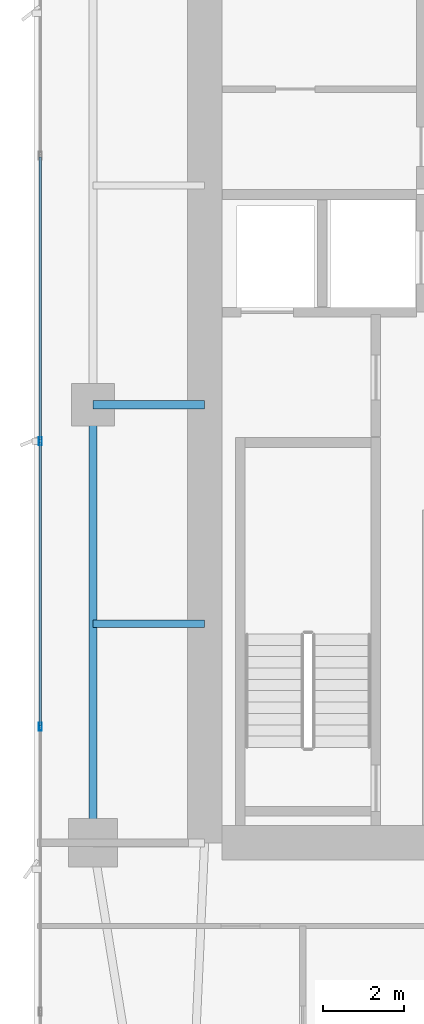
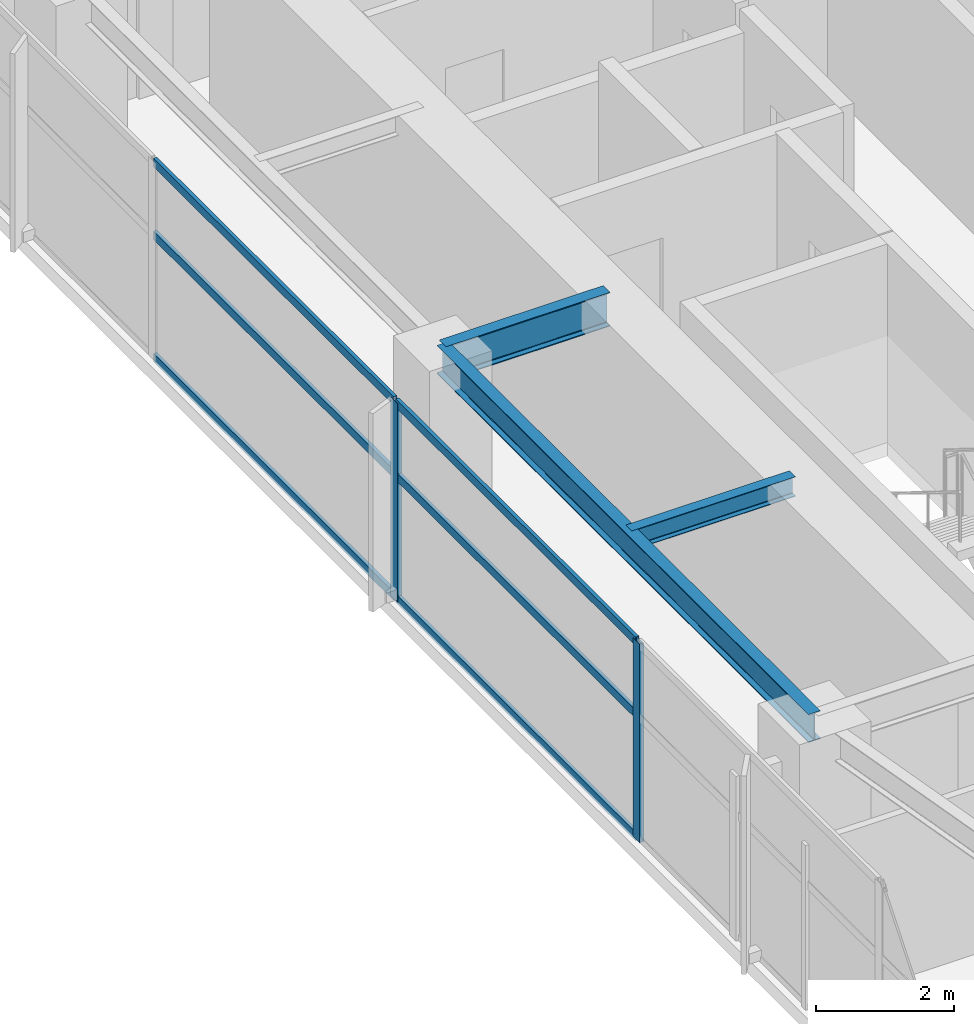
# One storey, part 8 of 28: 8 members, 3 beams, 1 element without a shape of its own.
"""IFC4 building model written with IfcOpenShell, lengths in metres."""

from ifc_helpers import new_model, si_unit, direction, frame, origin, origin_2d, place, context, subcontext, project, spatial, hollow_rectangle, i_section, extrude, material, layer, layer_set, material_profile, profile_set, type_object, element, aggregate, save


model = new_model("IFC4")

# Units and contexts
model_context = context("Model", 3, precision=1e-05, world=origin(), true_north=direction((0.0, 1.0)))
body_context = subcontext(model_context, "Body", "Model", "MODEL_VIEW")
ifc_project = project(units=[si_unit("LENGTHUNIT", "METRE"), si_unit("AREAUNIT", "SQUARE_METRE"), si_unit("VOLUMEUNIT", "CUBIC_METRE"), si_unit("PLANEANGLEUNIT", "RADIAN"), si_unit("MASSUNIT", "GRAM", prefix="KILO")], contexts=[model_context])

# Site, building, storey
site_placement = place(None, origin())
site = spatial("IfcSite", under=ifc_project, at=site_placement, CompositionType="ELEMENT")
building_placement = place(site_placement, origin())
building = spatial("IfcBuilding", under=site, at=building_placement, Name="Calvorn Quay Hotel", CompositionType="ELEMENT")
storey_placement = place(building_placement, frame((0.0, 0.0, 182.699951171875)))
storey = spatial("IfcBuildingStorey", under=building, at=storey_placement, Name="L45", CompositionType="ELEMENT", Elevation=182.699951171875)

# Beams
ifc_material_1 = material(Name="Steel Q355B", Category="steel")
ifc_material_profile_1 = material_profile(ifc_material_1, i_section(OverallWidth=0.199951171875, OverallDepth=0.60009765625, WebThickness=0.010986328125, FlangeThickness=0.01708984375, FilletRadius=0.01806640625, at=origin_2d()), Name="HN600x200x11x17")
ifc_profile_set_1 = profile_set([ifc_material_profile_1], Name="Steel Q355B")
beam_type_1 = type_object("IfcBeamType", Name="BM-GIRD-TYP", PredefinedType="BEAM", material=ifc_profile_set_1)
beam_1_placement = place(storey_placement, frame((1.449951171875, 27.60009765625, 3.219970703125), z_axis=(1.0, 0.0, 0.0), x_axis=(0.0, 1.0, 0.0)))
element("IfcBeam", 1, at=beam_1_placement, inside=storey, type_object=beam_type_1, Name="Beam BG-L45-W2", PredefinedType="BEAM", context=body_context, shape_type="SweptSolid", body=[
    extrude(i_section(OverallWidth=0.199951171875, OverallDepth=0.60009765625, WebThickness=0.010986328125, FlangeThickness=0.01708984375, FilletRadius=0.01806640625, at=origin_2d()), origin(), (0.0, 0.0, 1.0), 2.75),
])
ifc_material_2 = material(Name="Steel Q355B", Category="steel")
ifc_material_profile_2 = material_profile(ifc_material_2, i_section(OverallWidth=0.175048828125, OverallDepth=0.35009765625, WebThickness=0.007080078125, FlangeThickness=0.010986328125, FilletRadius=0.013916015625, at=origin_2d()), Name="HN350x175x7x11")
ifc_profile_set_2 = profile_set([ifc_material_profile_2], Name="Steel Q355B")
beam_type_2 = type_object("IfcBeamType", Name="BM-JOIST-SEC", PredefinedType="JOIST", material=ifc_profile_set_2)
beam_2_placement = place(storey_placement, frame((1.449951171875, 22.199951171875, 3.344970703125), z_axis=(1.0, 0.0, 0.0), x_axis=(0.0, 1.0, 0.0)))
element("IfcBeam", 2, at=beam_2_placement, inside=storey, type_object=beam_type_2, Name="Beam BJ-L45-W3", PredefinedType="JOIST", context=body_context, shape_type="SweptSolid", body=[
    extrude(i_section(OverallWidth=0.175048828125, OverallDepth=0.35009765625, WebThickness=0.007080078125, FlangeThickness=0.010986328125, FilletRadius=0.013916015625, at=origin_2d()), origin(), (0.0, 0.0, 1.0), 2.75),
])
ifc_material_3 = material(Name="Steel Q355B", Category="steel")
ifc_material_profile_3 = material_profile(ifc_material_3, i_section(OverallWidth=0.199951171875, OverallDepth=0.5, WebThickness=0.010009765625, FlangeThickness=0.01611328125, FilletRadius=0.01611328125, at=origin_2d()), Name="HN500x200x10x16")
ifc_profile_set_3 = profile_set([ifc_material_profile_3], Name="Steel Q355B")
beam_type_3 = type_object("IfcBeamType", Name="BM-SPANDREL-Z1", PredefinedType="SPANDREL", material=ifc_profile_set_3)
beam_3_placement = place(storey_placement, frame((1.449951171875, 16.800048828125, 3.27001953125), z_axis=(0.0, 1.0, 0.0), x_axis=(-1.0, 0.0, 0.0)))
element("IfcBeam", 3, at=beam_3_placement, inside=storey, type_object=beam_type_3, Name="Beam BSP-L45-W2", PredefinedType="SPANDREL", context=body_context, shape_type="SweptSolid", body=[
    extrude(i_section(OverallWidth=0.199951171875, OverallDepth=0.5, WebThickness=0.010009765625, FlangeThickness=0.01611328125, FilletRadius=0.01611328125, at=origin_2d()), origin(), (0.0, 0.0, 1.0), 10.800048828125),
])

# Curtain wall, members
ifc_material_4 = material(Name="Pale Anodised Aluminium and Low-E Glass", Category="aluminium")
ifc_layer = layer(ifc_material_4, 0.219970703125)
ifc_layer_set = layer_set([ifc_layer], Name="CW-SYS-Z2")
curtain_wall_type = type_object("IfcCurtainWallType", Name="CW-SYS-Z2", PredefinedType="NOTDEFINED", material=ifc_layer_set)
curtain_wall_placement = place(storey_placement, origin())
curtain_wall = element("IfcCurtainWall", 4, at=curtain_wall_placement, inside=storey, type_object=curtain_wall_type, Name="Tower West Curtain Wall (L45)", PredefinedType="NOTDEFINED")
ifc_material_5 = material(Name="Pale Anodised Aluminium 6063-T6", Category="aluminium")
ifc_material_profile_4 = material_profile(ifc_material_5, hollow_rectangle(XDim=0.070068359375, YDim=0.199951171875, WallThickness=0.00390625, at=origin_2d()), Name="ALU-M200x70x4")
ifc_profile_set_4 = profile_set([ifc_material_profile_4], Name="Pale Anodised Aluminium 6063-T6")
member_type_1 = type_object("IfcMemberType", Name="CW-SYS-Z2-MUL", PredefinedType="MULLION", material=ifc_profile_set_4)
member_1_placement = place(storey_placement, frame((0.14990234375, 19.666748046875, 0.0), z_axis=(0.0, 0.0, 1.0), x_axis=(-1.0, 0.0, 0.0)))
member_1 = element("IfcMember", 5, at=member_1_placement, type_object=member_type_1, Name="CW-L45-W mullion 3", PredefinedType="MULLION", context=body_context, shape_type="SweptSolid", body=[
    extrude(hollow_rectangle(XDim=0.070068359375, YDim=0.199951171875, WallThickness=0.00390625, at=origin_2d()), origin(), (0.0, 0.0, 1.0), 3.52001953125),
])
member_2_placement = place(storey_placement, frame((0.14990234375, 26.699951171875, 0.0), z_axis=(0.0, 0.0, 1.0), x_axis=(-1.0, 0.0, 0.0)))
member_2 = element("IfcMember", 6, at=member_2_placement, type_object=member_type_1, Name="CW-L45-W mullion 4", PredefinedType="MULLION", context=body_context, shape_type="SweptSolid", body=[
    extrude(hollow_rectangle(XDim=0.070068359375, YDim=0.199951171875, WallThickness=0.00390625, at=origin_2d()), origin(), (0.0, 0.0, 1.0), 3.52001953125),
])
ifc_material_6 = material(Name="Pale Anodised Aluminium 6063-T6", Category="aluminium")
ifc_material_profile_5 = material_profile(ifc_material_6, hollow_rectangle(XDim=0.06005859375, YDim=0.14990234375, WallThickness=0.00341796875, at=origin_2d()), Name="ALU-T150x60x3.5")
ifc_profile_set_5 = profile_set([ifc_material_profile_5], Name="Pale Anodised Aluminium 6063-T6")
member_type_2 = type_object("IfcMemberType", Name="CW-SYS-Z2-TRN", PredefinedType="USERDEFINED", material=ifc_profile_set_5)
member_3_placement = place(storey_placement, frame((0.14990234375, 19.69677734375, 0.030029296875), z_axis=(0.0, 1.0, 0.0), x_axis=(-1.0, 0.0, 0.0)))
member_3 = element("IfcMember", 7, at=member_3_placement, type_object=member_type_2, Name="CW-L45-W transom 3.1", ObjectType="TRANSOM", PredefinedType="USERDEFINED", context=body_context, shape_type="SweptSolid", body=[
    extrude(hollow_rectangle(XDim=0.06005859375, YDim=0.14990234375, WallThickness=0.00341796875, at=origin_2d()), origin(), (0.0, 0.0, 1.0), 6.97314453125),
])
member_4_placement = place(storey_placement, frame((0.14990234375, 19.69677734375, 2.199951171875), z_axis=(0.0, 1.0, 0.0), x_axis=(-1.0, 0.0, 0.0)))
member_4 = element("IfcMember", 8, at=member_4_placement, type_object=member_type_2, Name="CW-L45-W transom 3.2", ObjectType="TRANSOM", PredefinedType="USERDEFINED", context=body_context, shape_type="SweptSolid", body=[
    extrude(hollow_rectangle(XDim=0.06005859375, YDim=0.14990234375, WallThickness=0.00341796875, at=origin_2d()), origin(), (0.0, 0.0, 1.0), 6.97314453125),
])
member_5_placement = place(storey_placement, frame((0.14990234375, 19.69677734375, 3.489990234375), z_axis=(0.0, 1.0, 0.0), x_axis=(-1.0, 0.0, 0.0)))
member_5 = element("IfcMember", 9, at=member_5_placement, type_object=member_type_2, Name="CW-L45-W transom 3.3", ObjectType="TRANSOM", PredefinedType="USERDEFINED", context=body_context, shape_type="SweptSolid", body=[
    extrude(hollow_rectangle(XDim=0.06005859375, YDim=0.14990234375, WallThickness=0.00341796875, at=origin_2d()), origin(), (0.0, 0.0, 1.0), 6.97314453125),
])
member_6_placement = place(storey_placement, frame((0.14990234375, 26.72998046875, 0.030029296875), z_axis=(0.0, 1.0, 0.0), x_axis=(-1.0, 0.0, 0.0)))
member_6 = element("IfcMember", 10, at=member_6_placement, type_object=member_type_2, Name="CW-L45-W transom 4.1", ObjectType="TRANSOM", PredefinedType="USERDEFINED", context=body_context, shape_type="SweptSolid", body=[
    extrude(hollow_rectangle(XDim=0.06005859375, YDim=0.14990234375, WallThickness=0.00341796875, at=origin_2d()), origin(), (0.0, 0.0, 1.0), 6.973388671875),
])
member_7_placement = place(storey_placement, frame((0.14990234375, 26.72998046875, 2.199951171875), z_axis=(0.0, 1.0, 0.0), x_axis=(-1.0, 0.0, 0.0)))
member_7 = element("IfcMember", 11, at=member_7_placement, type_object=member_type_2, Name="CW-L45-W transom 4.2", ObjectType="TRANSOM", PredefinedType="USERDEFINED", context=body_context, shape_type="SweptSolid", body=[
    extrude(hollow_rectangle(XDim=0.06005859375, YDim=0.14990234375, WallThickness=0.00341796875, at=origin_2d()), origin(), (0.0, 0.0, 1.0), 6.973388671875),
])
member_8_placement = place(storey_placement, frame((0.14990234375, 26.72998046875, 3.489990234375), z_axis=(0.0, 1.0, 0.0), x_axis=(-1.0, 0.0, 0.0)))
member_8 = element("IfcMember", 12, at=member_8_placement, type_object=member_type_2, Name="CW-L45-W transom 4.3", ObjectType="TRANSOM", PredefinedType="USERDEFINED", context=body_context, shape_type="SweptSolid", body=[
    extrude(hollow_rectangle(XDim=0.06005859375, YDim=0.14990234375, WallThickness=0.00341796875, at=origin_2d()), origin(), (0.0, 0.0, 1.0), 6.973388671875),
])
aggregate(curtain_wall, [member_1, member_2, member_3, member_4, member_5, member_6, member_7, member_8])

save(model, "model.ifc")
